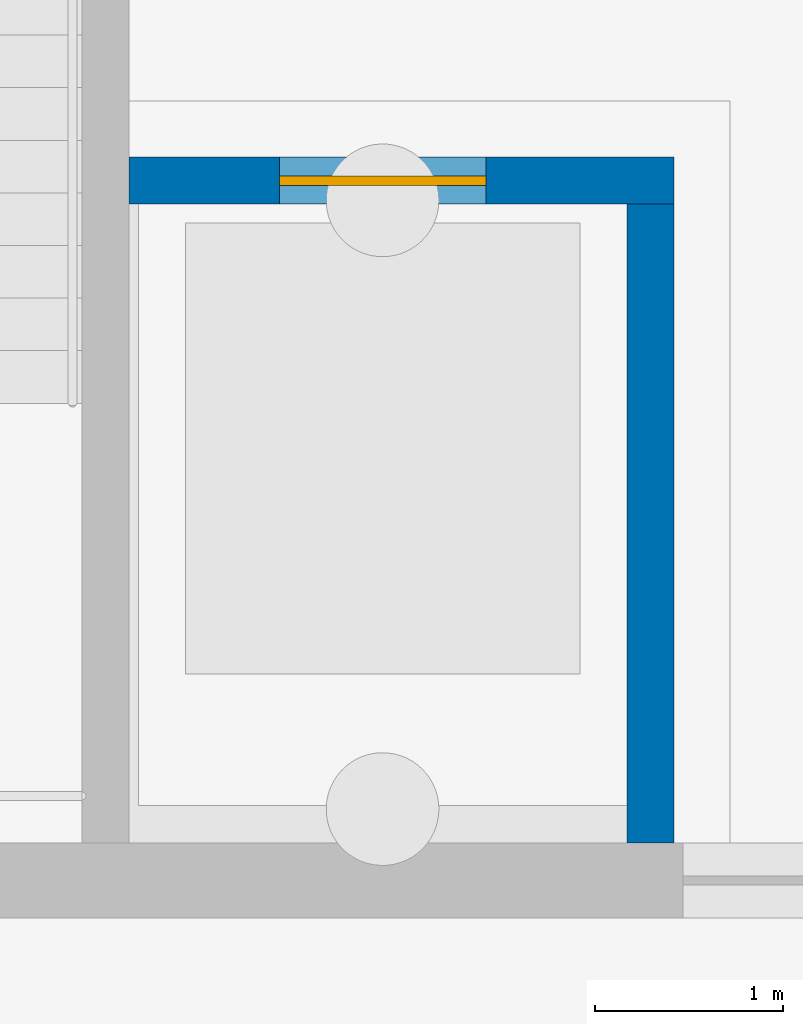
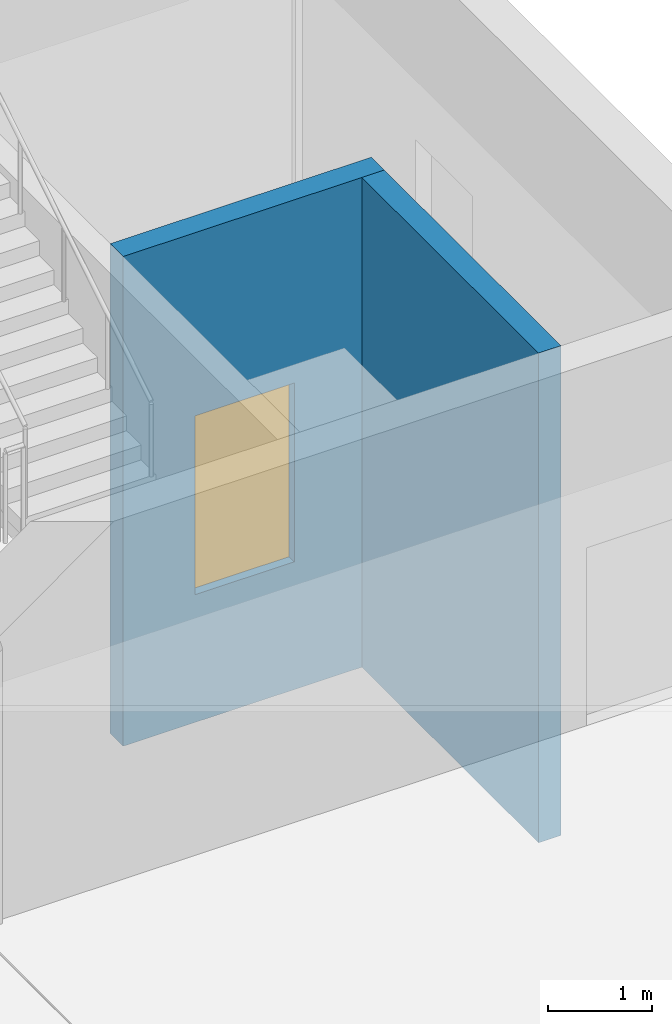
# One storey, part 76 of 106: 2 walls, 1 door, 1 opening.
"""IFC4 building model written with IfcOpenShell, lengths in metres."""

import ifcopenshell
import ifcopenshell.guid

model = None  # the IFC model being written
_history = None  # IfcOwnerHistory: only IFC2X3 demands one
_inside = {}  # id of a spatial element -> (the spatial element, [elements in it])
_under = {}  # id of a project, library or spatial element -> (it, [spatial elements below it])
_declared = {}  # id of a project -> (the project, [libraries it declares])
_typed = {}  # id of a type object -> (the type object, [elements of that type])
_made_of = {}  # id of a material, layer set ... -> (it, [elements and type objects made of it])


def new_model(schema):
    """Start an empty IFC model of exactly this schema.

    Asked for "IFC4X3", IfcOpenShell would pick the latest addendum, in which some entities
    have other attributes; the version numbers below select the first issue.
    IFC2X3 requires an IfcOwnerHistory on every rooted entity: one is made here for all.
    """
    global model, _history
    if schema == "IFC4X3":
        model = ifcopenshell.file(schema_version=(4, 3, 0, 0))
    else:
        model = ifcopenshell.file(schema=schema)
    _inside.clear()
    _under.clear()
    _declared.clear()
    _typed.clear()
    _made_of.clear()
    _history = None
    if model.schema == "IFC2X3":
        org = make("IfcOrganization", Name="unknown")
        user = make(
            "IfcPersonAndOrganization",
            ThePerson=make("IfcPerson", FamilyName="unknown"),
            TheOrganization=org,
        )
        app = make(
            "IfcApplication",
            ApplicationDeveloper=org,
            Version="unknown",
            ApplicationFullName="unknown",
            ApplicationIdentifier="unknown",
        )
        _history = make(
            "IfcOwnerHistory",
            OwningUser=user,
            OwningApplication=app,
            ChangeAction="ADDED",
            CreationDate=0,
        )
    return model


def make(cls, **values):
    """One entity of the class cls with the attributes given. An attribute that is None is left unset."""
    return model.create_entity(
        cls, **{name: value for name, value in values.items() if value is not None}
    )


def rooted(cls, **values):
    """An entity with a GlobalId (a new one), such as an element, a storey or a relation."""
    return make(cls, GlobalId=ifcopenshell.guid.new(), OwnerHistory=_history, **values)


def si_unit(unit_type, name, prefix=None):
    """IfcSIUnit, for example si_unit("LENGTHUNIT", "METRE", prefix="MILLI")."""
    return make("IfcSIUnit", UnitType=unit_type, Prefix=prefix, Name=name)


def assignment(units):
    """IfcUnitAssignment: the units of a project."""
    return None if units is None else make("IfcUnitAssignment", Units=units)


def point(xyz):
    """IfcCartesianPoint."""
    return None if xyz is None else make("IfcCartesianPoint", Coordinates=xyz)


def direction(xyz):
    """IfcDirection."""
    return None if xyz is None else make("IfcDirection", DirectionRatios=xyz)


def frame(location, z_axis=None, x_axis=None):
    """IfcAxis2Placement3D, a coordinate frame: its origin and axes. An axis left out is left unset."""
    return make(
        "IfcAxis2Placement3D",
        Location=point(location),
        Axis=direction(z_axis),
        RefDirection=direction(x_axis),
    )


def frame_2d(location, x_axis=None):
    """IfcAxis2Placement2D, a coordinate frame in the plane: its origin and x axis."""
    return make(
        "IfcAxis2Placement2D", Location=point(location), RefDirection=direction(x_axis)
    )


def origin():
    """The frame at (0, 0, 0) with its axes left unset."""
    return frame((0.0, 0.0, 0.0))


def place(relative_to, where):
    """IfcLocalPlacement: puts the frame where relative to a parent placement (None: the world)."""
    return make(
        "IfcLocalPlacement", PlacementRelTo=relative_to, RelativePlacement=where
    )


def context(
    kind, dimensions, precision=None, world=None, true_north=None, identifier=None
):
    """IfcGeometricRepresentationContext, for example the 3D "Model" context."""
    return make(
        "IfcGeometricRepresentationContext",
        ContextIdentifier=identifier,
        ContextType=kind,
        CoordinateSpaceDimension=dimensions,
        Precision=precision,
        WorldCoordinateSystem=world,
        TrueNorth=true_north,
    )


def subcontext(parent, identifier, kind, view, scale=None):
    """IfcGeometricRepresentationSubContext, for example "Body" below "Model"."""
    return make(
        "IfcGeometricRepresentationSubContext",
        ContextIdentifier=identifier,
        ContextType=kind,
        ParentContext=parent,
        TargetScale=scale,
        TargetView=view,
    )


def project(units=None, contexts=None):
    """IfcProject with its units and contexts."""
    return rooted(
        "IfcProject",
        Name="project",
        RepresentationContexts=contexts,
        UnitsInContext=assignment(units),
    )


def spatial(cls, under=None, at=None, **own):
    """A site, building, storey or space (cls), placed at a placement, below another one or the project."""
    s = rooted(cls, ObjectPlacement=at, **own)
    if under is not None:
        _under.setdefault(under.id(), (under, []))[1].append(s)
    return s


def profile(cls, at=None, kind="AREA", **sizes):
    """A parametric profile (cls). Its sizes go by their IFC names, for example OverallWidth=200.0."""
    return make(cls, ProfileType=kind, Position=at, **sizes)


def rectangle(**sizes):
    """IfcRectangleProfileDef."""
    return profile("IfcRectangleProfileDef", **sizes)


def extrude(swept, where, along, depth):
    """IfcExtrudedAreaSolid: the profile swept, set in the frame where, extruded along a direction by depth."""
    return make(
        "IfcExtrudedAreaSolid",
        SweptArea=swept,
        Position=where,
        ExtrudedDirection=direction(along),
        Depth=depth,
    )


def shape(context_of_items, identifier, shape_type, items):
    """IfcShapeRepresentation: the items that make up one representation, for example the "Body"."""
    return make(
        "IfcShapeRepresentation",
        ContextOfItems=context_of_items,
        RepresentationIdentifier=identifier,
        RepresentationType=shape_type,
        Items=items,
    )


def material(Name=None, Category=None):
    """IfcMaterial."""
    return make("IfcMaterial", Name=Name, Category=Category)


def layer(
    of_material, thickness, ventilated=None, Name=None, Category=None, Priority=None
):
    """IfcMaterialLayer: one layer of a wall or slab, of a material (None: an air gap)."""
    return make(
        "IfcMaterialLayer",
        Material=of_material,
        LayerThickness=thickness,
        IsVentilated=ventilated,
        Name=Name,
        Category=Category,
        Priority=Priority,
    )


def layer_set(layers, Name=None):
    """IfcMaterialLayerSet."""
    return make("IfcMaterialLayerSet", MaterialLayers=layers, LayerSetName=Name)


def made_of(thing, what):
    """Note that an element or type object is made of a material, layer set ...; save() writes the relation."""
    if what is not None:
        _made_of.setdefault(what.id(), (what, []))[1].append(thing)
    return thing


def type_object(cls, material=None, **own):
    """A type object (cls), such as IfcWallType, which elements share."""
    return made_of(rooted(cls, **own), material)


def element(
    cls,
    number,
    at=None,
    inside=None,
    cuts=None,
    type_object=None,
    material=None,
    context=None,
    identifier="Body",
    shape_type=None,
    held_by="IfcProductDefinitionShape",
    body=None,
    shapes=None,
    **own,
):
    """One element of the class cls, such as IfcWall. Its Tag is "e" and its number.

    at: its placement. inside: the storey or other place that contains it. cuts: it is an
    opening in that element (IfcRelVoidsElement). A single representation is given by context,
    identifier, shape_type and body (its items); several are given by shapes. held_by: the class
    of the entity that holds the representations. save() writes the other relations.
    """
    e = rooted(cls, Tag="e%d" % number, ObjectPlacement=at, **own)
    if body is not None:
        shapes = [shape(context, identifier, shape_type, body)]
    if shapes is not None:
        e.Representation = make(held_by, Representations=shapes)
    if inside is not None:
        _inside.setdefault(inside.id(), (inside, []))[1].append(e)
    if cuts is not None:
        rooted(
            "IfcRelVoidsElement", RelatingBuildingElement=cuts, RelatedOpeningElement=e
        )
    if type_object is not None:
        _typed.setdefault(type_object.id(), (type_object, []))[1].append(e)
    return made_of(e, material)


def fill(opening, filler):
    """IfcRelFillsElement: the door or window that sits in an opening."""
    return rooted(
        "IfcRelFillsElement",
        RelatingOpeningElement=opening,
        RelatedBuildingElement=filler,
    )


def aggregate(whole, parts):
    """IfcRelAggregates: a whole, such as a stair, and the parts it consists of."""
    return rooted("IfcRelAggregates", RelatingObject=whole, RelatedObjects=parts)


def save(model, path):
    """Write the relations noted so far, then the file.

    IfcRelAggregates (storeys below a building ...), IfcRelContainedInSpatialStructure (elements
    in a storey), IfcRelDefinesByType, IfcRelAssociatesMaterial and IfcRelDeclares: one each for
    every whole, place, type object, material and project.
    """
    for whole, parts in _under.values():
        aggregate(whole, parts)
    for where, things in _inside.values():
        rooted(
            "IfcRelContainedInSpatialStructure",
            RelatedElements=things,
            RelatingStructure=where,
        )
    for kind, things in _typed.values():
        rooted("IfcRelDefinesByType", RelatedObjects=things, RelatingType=kind)
    for what, things in _made_of.values():
        rooted("IfcRelAssociatesMaterial", RelatedObjects=things, RelatingMaterial=what)
    for by, libraries in _declared.values():
        rooted("IfcRelDeclares", RelatingContext=by, RelatedDefinitions=libraries)
    model.write(path)


model = new_model("IFC4")

# Units and contexts
model_context = context("Model", 3, precision=1e-05, world=origin(), true_north=direction((0.0, 1.0)))
body_context = subcontext(model_context, "Body", "Model", "MODEL_VIEW")
ifc_project = project(units=[si_unit("LENGTHUNIT", "METRE"), si_unit("AREAUNIT", "SQUARE_METRE"), si_unit("VOLUMEUNIT", "CUBIC_METRE"), si_unit("PLANEANGLEUNIT", "RADIAN"), si_unit("MASSUNIT", "GRAM", prefix="KILO")], contexts=[model_context])

# Site, building, storey
site_placement = place(None, origin())
site = spatial("IfcSite", under=ifc_project, at=site_placement, CompositionType="ELEMENT")
building_placement = place(site_placement, origin())
building = spatial("IfcBuilding", under=site, at=building_placement, Name="Merrow Basin Faculty of Sciences", CompositionType="ELEMENT")
storey_placement = place(building_placement, origin())
storey = spatial("IfcBuildingStorey", under=building, at=storey_placement, Name="L00", CompositionType="ELEMENT", Elevation=0.0)

# Wall, opening, door
ifc_material_1 = material(Name="Concrete C40/50", Category="concrete")
ifc_layer = layer(ifc_material_1, 0.25)
ifc_layer_set = layer_set([ifc_layer], Name="Shear wall 250 Concrete C40/50")
wall_type = type_object("IfcWallType", Name="Shear wall 250 Concrete C40/50", PredefinedType="SHEAR", material=ifc_layer_set)
wall_1_placement = place(storey_placement, frame((66.85009765625, 127.72509765625, -1.5), z_axis=(0.0, 0.0, 1.0), x_axis=(1.0, 0.0, 0.0)))
wall_1 = element("IfcWall", 1, at=wall_1_placement, inside=storey, type_object=wall_type, Name="SW2 L00 031", PredefinedType="SHEAR", context=body_context, shape_type="SweptSolid", body=[
    extrude(rectangle(XDim=2.89990234375, YDim=0.25, at=frame_2d((1.449951171875, 0.0))), origin(), (0.0, 0.0, 1.0), 5.75),
])
opening_placement = place(wall_1_placement, frame((0.800048828125, 0.0, 1.5)))
opening = element("IfcOpeningElement", 2, at=opening_placement, cuts=wall_1, Name="Opening LD00C04", PredefinedType="OPENING", context=body_context, shape_type="SweptSolid", body=[
    extrude(rectangle(XDim=1.10009765625, YDim=2.10009765625, at=frame_2d((0.550048828125, 1.050048828125))), frame((0.0, 0.135009765625, 0.0), z_axis=(0.0, -1.0, 0.0), x_axis=(1.0, 0.0, 0.0)), (0.0, 0.0, 1.0), 0.27001953125),
])
ifc_material_2 = material(Name="Stainless steel sliding door", Category="steel")
door_type = type_object("IfcDoorType", Name="Lift landing door 1100 x 2100 sliding", OperationType="NOTDEFINED", PredefinedType="DOOR", material=ifc_material_2)
door_placement = place(opening_placement, origin())
door = element("IfcDoor", 3, at=door_placement, inside=storey, type_object=door_type, Name="Landing door LF8 L00", OperationType="SLIDING_TO_LEFT", OverallHeight=2.10009765625, OverallWidth=1.10009765625, PredefinedType="DOOR", context=body_context, shape_type="SweptSolid", body=[
    extrude(rectangle(XDim=1.10009765625, YDim=2.10009765625, at=frame_2d((0.550048828125, 1.050048828125))), frame((0.0, 0.02490234375, 0.0), z_axis=(0.0, -1.0, 0.0), x_axis=(1.0, 0.0, 0.0)), (0.0, 0.0, 1.0), 0.050048828125),
])
fill(opening, door)

# Wall
wall_2_placement = place(storey_placement, frame((69.625, 124.199951171875, -1.5), z_axis=(0.0, 0.0, 1.0), x_axis=(0.0, 1.0, 0.0)))
element("IfcWall", 4, at=wall_2_placement, inside=storey, type_object=wall_type, Name="SW2 L00 032", PredefinedType="SHEAR", context=body_context, shape_type="SweptSolid", body=[
    extrude(rectangle(XDim=3.400146484375, YDim=0.25, at=frame_2d((1.7001953125, 0.0))), origin(), (0.0, 0.0, 1.0), 5.75),
])

save(model, "model.ifc")
